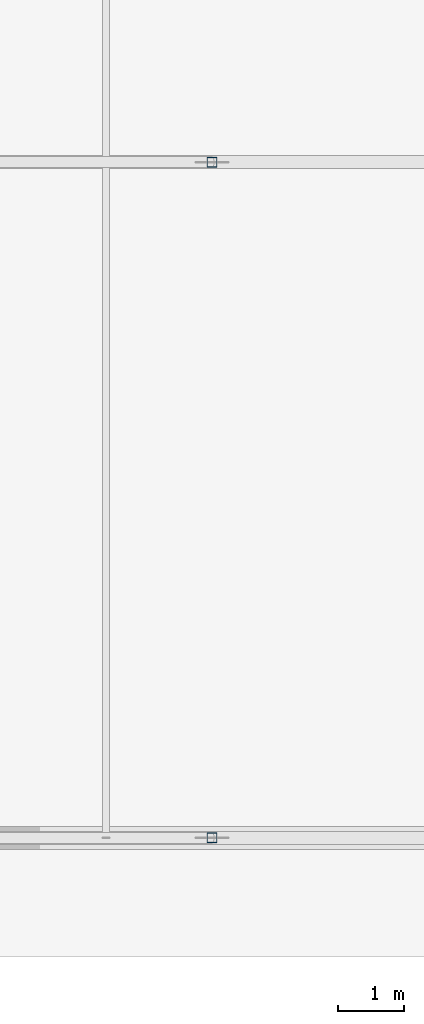
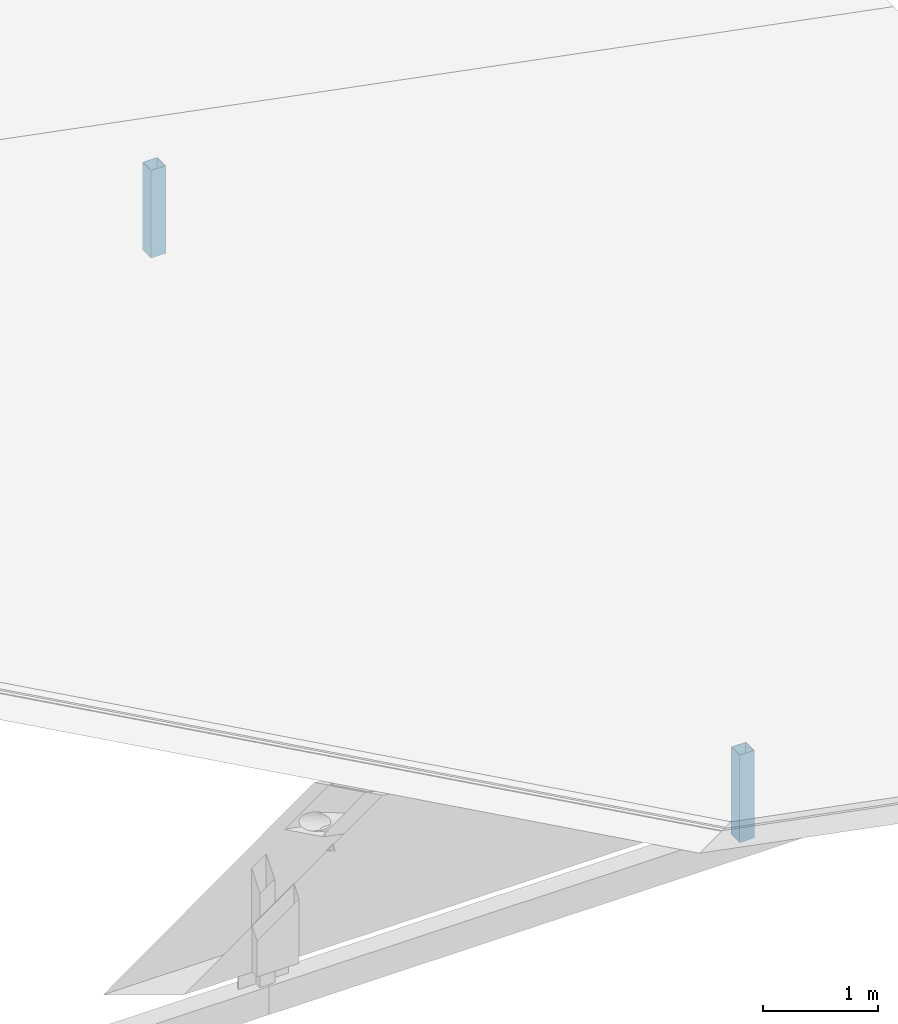
# One storey, part 125 of 200: 2 members.
"""IFC4 building model written with IfcOpenShell, lengths in metres."""

from ifc_helpers import new_model, si_unit, direction, frame, origin, origin_2d, place, context, subcontext, project, spatial, hollow_rectangle, extrude, material, material_profile, profile_set, type_object, element, save


model = new_model("IFC4")

# Units and contexts
model_context = context("Model", 3, precision=1e-05, world=origin(), true_north=direction((0.0, 1.0)))
body_context = subcontext(model_context, "Body", "Model", "MODEL_VIEW")
ifc_project = project(units=[si_unit("LENGTHUNIT", "METRE"), si_unit("AREAUNIT", "SQUARE_METRE"), si_unit("VOLUMEUNIT", "CUBIC_METRE"), si_unit("PLANEANGLEUNIT", "RADIAN"), si_unit("MASSUNIT", "GRAM", prefix="KILO")], contexts=[model_context])

# Site, building, storey
site_placement = place(None, origin())
site = spatial("IfcSite", under=ifc_project, at=site_placement, CompositionType="ELEMENT")
building_placement = place(site_placement, origin())
building = spatial("IfcBuilding", under=site, at=building_placement, Name="Vondelvale Polytechnic", CompositionType="ELEMENT")
storey_placement = place(building_placement, frame((0.0, 0.0, 13.800048828125)))
storey = spatial("IfcBuildingStorey", under=building, at=storey_placement, Name="L03", CompositionType="ELEMENT", Elevation=13.800048828125)

# Members
ifc_material = material(Name="Steel C350L0 (fy = 350 MPa)", Category="steel")
ifc_material_profile = material_profile(ifc_material, hollow_rectangle(XDim=0.14990234375, YDim=0.14990234375, WallThickness=0.006103515625, at=origin_2d()), Name="150x150x6.0SHS")
ifc_profile_set = profile_set([ifc_material_profile], Name="Steel C350L0 (fy = 350 MPa)")
member_type = type_object("IfcMemberType", Name="ROOF TRUSS POST 150SHS", PredefinedType="POST", material=ifc_profile_set)
for number, where, z_axis, x_axis, name in (
    (1, (43.199951171875, 51.0, -0.420166015625), (0.0, 0.0, 1.0), (1.0, 0.0, 0.0), "ROOF TRUSS TR-01 vertical post 8"),
    (2, (43.199951171875, 61.199951171875, -0.420166015625), (0.0, 0.0, 1.0), (1.0, 0.0, 0.0), "ROOF TRUSS TR-02 vertical post 8"),
):
    element("IfcMember", number, at=place(storey_placement, frame(where, z_axis=z_axis, x_axis=x_axis)), inside=storey, type_object=member_type, Name=name, PredefinedType="POST", context=body_context, shape_type="SweptSolid", body=[
        extrude(hollow_rectangle(XDim=0.14990234375, YDim=0.14990234375, WallThickness=0.006103515625, at=origin_2d()), origin(), (0.0, 0.0, 1.0), 0.925048828125),
    ])

save(model, "model.ifc")
